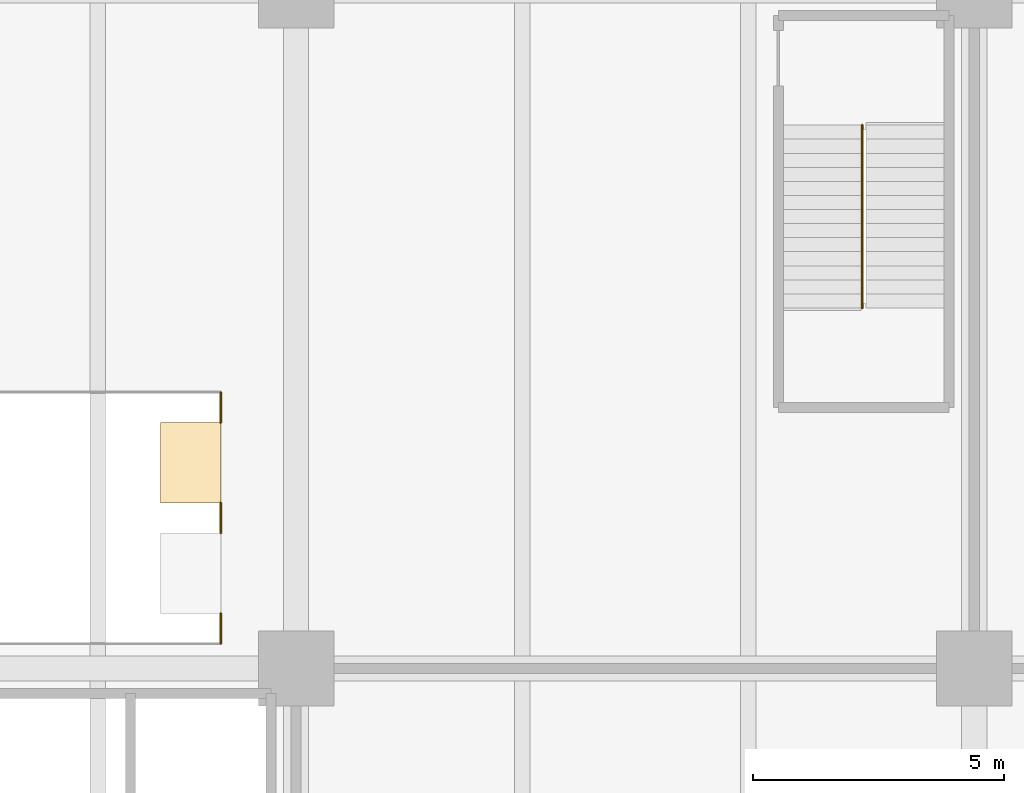
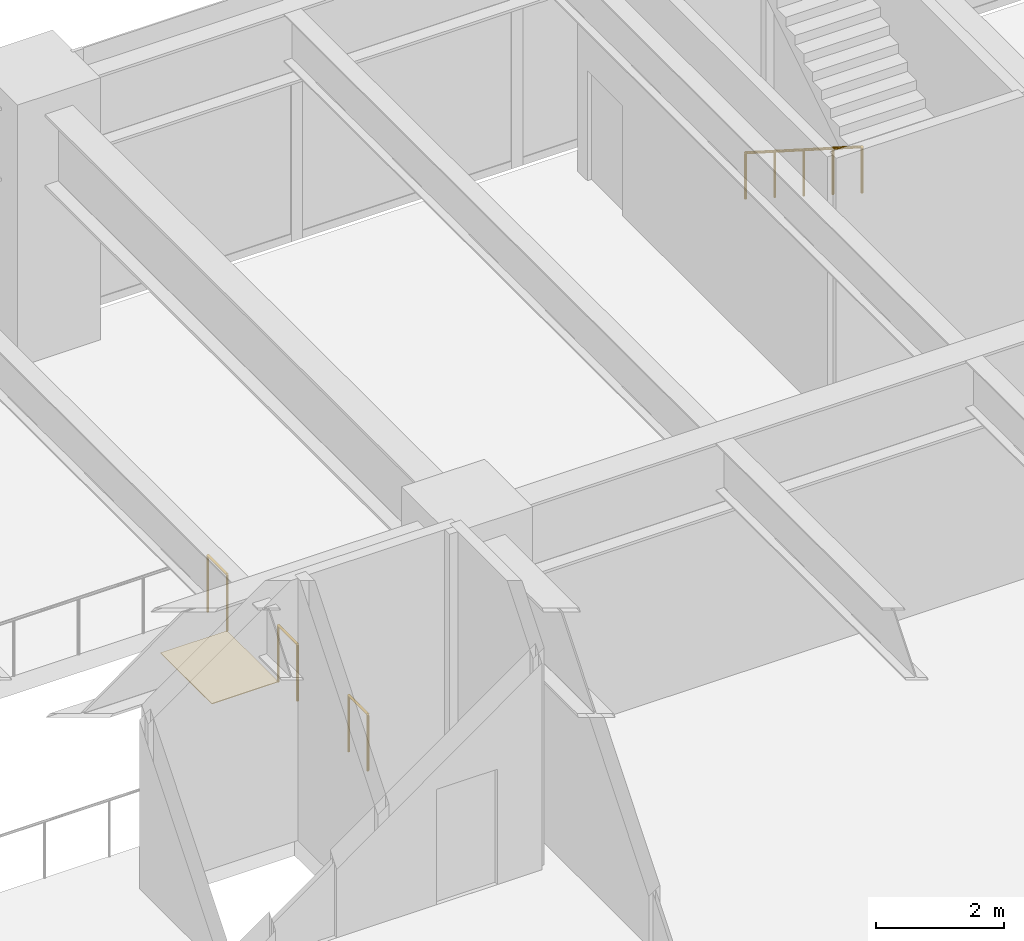
# One storey, part 31 of 32: 4 railings, 1 covering.
"""IFC4 building model written with IfcOpenShell, lengths in metres."""

from ifc_helpers import new_model, si_unit, direction, frame, origin, origin_2d, place, context, subcontext, project, spatial, rectangle, circle, extrude, material, layer, layer_set, type_object, element, save


model = new_model("IFC4")

# Units and contexts
model_context = context("Model", 3, precision=1e-05, world=origin(), true_north=direction((0.0, 1.0)))
body_context = subcontext(model_context, "Body", "Model", "MODEL_VIEW")
ifc_project = project(units=[si_unit("LENGTHUNIT", "METRE"), si_unit("AREAUNIT", "SQUARE_METRE"), si_unit("VOLUMEUNIT", "CUBIC_METRE"), si_unit("PLANEANGLEUNIT", "RADIAN"), si_unit("MASSUNIT", "GRAM", prefix="KILO")], contexts=[model_context])

# Site, building, storey
site_placement = place(None, origin())
site = spatial("IfcSite", under=ifc_project, at=site_placement, CompositionType="ELEMENT")
building_placement = place(site_placement, origin())
building = spatial("IfcBuilding", under=site, at=building_placement, Name="Upepo Twin Towers", CompositionType="ELEMENT")
storey_placement = place(building_placement, frame((0.0, 0.0, 10.5)))
storey = spatial("IfcBuildingStorey", under=building, at=storey_placement, Name="L02", CompositionType="ELEMENT", Elevation=10.5)

# Covering
ifc_material_1 = material(Name="Stainless steel chequer plate", Category="steel")
ifc_layer = layer(ifc_material_1, 0.011962890625)
ifc_layer_set = layer_set([ifc_layer], Name="Escalator floor plate, stainless steel chequer 12")
covering_type = type_object("IfcCoveringType", Name="Escalator floor plate, stainless steel chequer 12", PredefinedType="FLOORING", material=ifc_layer_set)
covering_placement = place(storey_placement, frame((38.39990234375, 31.10009765625, -0.01220703125), z_axis=(0.0, 0.0, 1.0), x_axis=(1.0, 0.0, 0.0)))
element("IfcCovering", 1, at=covering_placement, inside=storey, type_object=covering_type, Name="Escalator upper floor plate", PredefinedType="FLOORING", context=body_context, shape_type="SweptSolid", body=[
    extrude(rectangle(XDim=1.199951171875, YDim=1.60009765625, at=origin_2d()), origin(), (0.0, 0.0, 1.0), 0.011962890625),
])

# Railings
ifc_material_2 = material(Name="Stainless steel and glass", Category="steel")
railing_type_1 = type_object("IfcRailingType", Name="Guard 1100", PredefinedType="GUARDRAIL", material=ifc_material_2)
for number, where, name in (
    (2, (39.0, 27.5, 0.0), "Escalator well guard L02 arrival edge 1"),
    (3, (39.0, 29.699951171875, 0.0), "Escalator well guard L02 arrival edge 2"),
    (4, (39.0, 31.89990234375, 0.0), "Escalator well guard L02 arrival edge 3"),
):
    element("IfcRailing", number, at=place(storey_placement, frame(where)), inside=storey, type_object=railing_type_1, Name=name, PredefinedType="GUARDRAIL", context=body_context, shape_type="SweptSolid", body=[
        extrude(circle(Radius=0.02392578125, at=origin_2d()), frame((0.0, 0.0, 1.076171875), z_axis=(0.0, 1.0, 0.0), x_axis=(-1.0, 0.0, 0.0)), (0.0, 0.0, 1.0), 0.60009765625),
        extrude(circle(Radius=0.02099609375, at=origin_2d()), origin(), (0.0, 0.0, 1.0), 1.052001953125),
        extrude(circle(Radius=0.02099609375, at=origin_2d()), frame((0.0, 0.60009765625, 0.0)), (0.0, 0.0, 1.0), 1.052001953125),
    ])
ifc_material_3 = material(Name="Stainless steel", Category="steel")
railing_type_2 = type_object("IfcRailingType", Name="Stair handrail 900", PredefinedType="HANDRAIL", material=ifc_material_3)
railing_placement = place(storey_placement, frame((51.77001953125, 37.820068359375, 0.178466796875)))
element("IfcRailing", 5, at=railing_placement, inside=storey, type_object=railing_type_2, Name="Podium stair PS4 L02 handrail", PredefinedType="HANDRAIL", context=body_context, shape_type="SweptSolid", body=[
    extrude(circle(Radius=0.02392578125, at=origin_2d()), frame((0.0, 0.0, 0.8759765625), z_axis=(0.0, -0.843127859045, 0.537713132908), x_axis=(1.0, 0.0, 0.0)), (0.0, 0.0, 1.0), 4.3173828125),
    extrude(circle(Radius=0.02099609375, at=origin_2d()), origin(), (0.0, 0.0, 1.0), 0.851806640625),
    extrude(circle(Radius=0.02099609375, at=origin_2d()), frame((0.0, -0.91015625, 0.580322265625)), (0.0, 0.0, 1.0), 0.851806640625),
    extrude(circle(Radius=0.02099609375, at=origin_2d()), frame((0.0, -1.820068359375, 1.16064453125)), (0.0, 0.0, 1.0), 0.851806640625),
    extrude(circle(Radius=0.02099609375, at=origin_2d()), frame((0.0, -2.72998046875, 1.7412109375)), (0.0, 0.0, 1.0), 0.851806640625),
    extrude(circle(Radius=0.02099609375, at=origin_2d()), frame((0.0, -3.64013671875, 2.321533203125)), (0.0, 0.0, 1.0), 0.851806640625),
])

save(model, "model.ifc")
